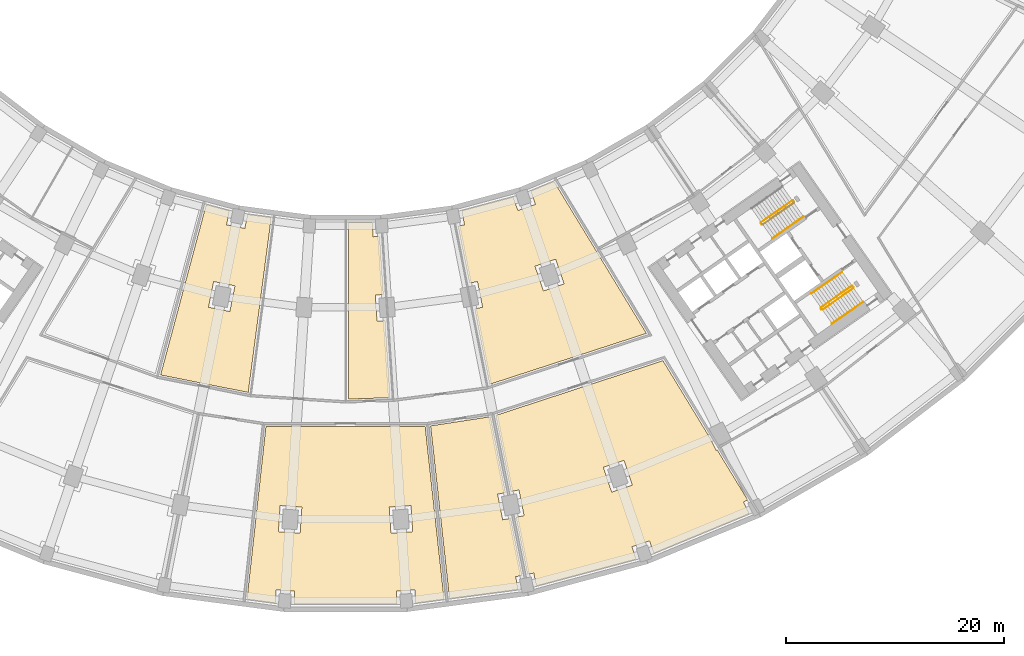
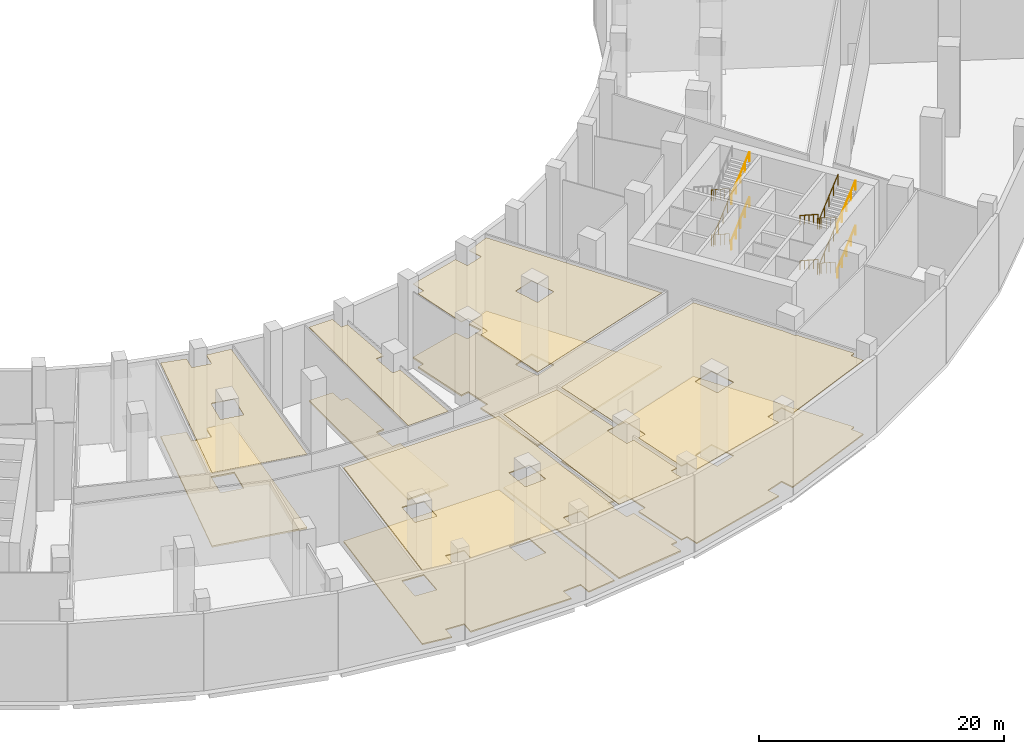
# One storey, part 17 of 19: 13 railings, 12 coverings.
"""IFC4 building model written with IfcOpenShell, lengths in metres."""

from ifc_helpers import new_model, si_unit, direction, frame, origin, origin_2d, place, context, subcontext, project, spatial, polyline, circle, outline, extrude, material, layer, layer_set, type_object, element, save


model = new_model("IFC4")

# Units and contexts
model_context = context("Model", 3, precision=1e-05, world=origin(), true_north=direction((0.0, 1.0)))
body_context = subcontext(model_context, "Body", "Model", "MODEL_VIEW")
ifc_project = project(units=[si_unit("LENGTHUNIT", "METRE"), si_unit("AREAUNIT", "SQUARE_METRE"), si_unit("VOLUMEUNIT", "CUBIC_METRE"), si_unit("PLANEANGLEUNIT", "RADIAN"), si_unit("MASSUNIT", "GRAM", prefix="KILO")], contexts=[model_context])

# Site, building, storey
site_placement = place(None, origin())
site = spatial("IfcSite", under=ifc_project, at=site_placement, CompositionType="ELEMENT")
building_placement = place(site_placement, origin())
building = spatial("IfcBuilding", under=site, at=building_placement, Name="Qamariyya Broadcast Tower", CompositionType="ELEMENT")
storey_placement = place(building_placement, frame((0.0, 0.0, 9.0)))
storey = spatial("IfcBuildingStorey", under=building, at=storey_placement, Name="L01", CompositionType="ELEMENT", Elevation=9.0)

# Coverings
ifc_material_1 = material(Name="Floating timber studio floor", Category="wood")
ifc_layer_1 = layer(ifc_material_1, 0.1201171875)
ifc_layer_set_1 = layer_set([ifc_layer_1], Name="Floating studio floor 120")
covering_type_1 = type_object("IfcCoveringType", Name="Floating studio floor 120", PredefinedType="FLOORING", material=ifc_layer_set_1)
covering_1_placement = place(storey_placement, origin())
element("IfcCovering", 1, at=covering_1_placement, inside=storey, type_object=covering_type_1, Name="Flooring L01-F02", PredefinedType="FLOORING", context=body_context, shape_type="SweptSolid", body=[
    extrude(outline(polyline([(9.04541015625, -84.9111328125), (6.439697265625, -85.254150390625), (6.361572265625, -84.06396484375), (4.665283203125, -84.175048828125), (4.743408203125, -85.365234375), (-4.743408203125, -85.365234375), (-4.665283203125, -84.175048828125), (-6.361572265625, -84.06396484375), (-6.439697265625, -85.254150390625), (-9.04541015625, -84.9111328125), (-7.3076171875, -69.038818359375), (7.3076171875, -69.038818359375), (9.04541015625, -84.9111328125)]), holes=[polyline([(4.165771484375, -78.846435546875), (6.161376953125, -78.715576171875), (6.00439453125, -76.32080078125), (4.0087890625, -76.451416015625), (4.165771484375, -78.846435546875)]), polyline([(-6.00439453125, -76.32080078125), (-6.161376953125, -78.715576171875), (-4.165771484375, -78.846435546875), (-4.0087890625, -76.451416015625), (-6.00439453125, -76.32080078125)])]), origin(), (0.0, 0.0, 1.0), 0.1201171875),
])
covering_2_placement = place(storey_placement, origin())
element("IfcCovering", 2, at=covering_2_placement, inside=storey, type_object=covering_type_1, Name="Flooring L01-F04", PredefinedType="FLOORING", context=body_context, shape_type="SweptSolid", body=[
    extrude(outline(polyline([(33.504638671875, -70.20166015625), (34.021728515625, -71.25048828125), (34.114501953125, -71.20458984375), (36.9052734375, -75.793701171875), (36.522705078125, -75.982421875), (37.050048828125, -77.052001953125), (28.28564453125, -80.682373046875), (27.90234375, -79.552978515625), (26.29248046875, -80.099365234375), (26.67578125, -81.22900390625), (17.512451171875, -83.684326171875), (17.27978515625, -82.514404296875), (16.69140625, -82.63134765625), (15.6474609375, -77.38427734375), (16.383056640625, -77.23779296875), (15.9150390625, -74.884033203125), (15.179443359375, -75.0302734375), (13.78857421875, -68.0390625), (29.134765625, -63.015625), (33.504638671875, -70.20166015625)]), holes=[polyline([(24.4306640625, -75.08154296875), (26.324462890625, -74.438720703125), (25.55322265625, -72.166015625), (23.6591796875, -72.808837890625), (24.4306640625, -75.08154296875)])]), origin(), (0.0, 0.0, 1.0), 0.1201171875),
])
ifc_material_2 = material(Name="Raised access floor")
ifc_layer_2 = layer(ifc_material_2, 0.14990234375)
ifc_layer_set_2 = layer_set([ifc_layer_2], Name="Raised access floor 150")
covering_type_2 = type_object("IfcCoveringType", Name="Raised access floor 150", PredefinedType="FLOORING", material=ifc_layer_set_2)
covering_3_placement = place(storey_placement, origin())
element("IfcCovering", 3, at=covering_3_placement, inside=storey, type_object=covering_type_2, Name="Flooring L01-F03", PredefinedType="FLOORING", context=body_context, shape_type="SweptSolid", body=[
    extrude(outline(polyline([(14.68896484375, -75.1279296875), (13.953369140625, -75.274169921875), (14.421630859375, -77.628173828125), (15.1572265625, -77.481689453125), (16.200927734375, -82.72900390625), (15.612548828125, -82.845947265625), (15.84521484375, -84.015869140625), (9.541259765625, -84.845703125), (7.80615234375, -68.99951171875), (13.3017578125, -68.15380859375), (14.68896484375, -75.1279296875)])), origin(), (0.0, 0.0, 1.0), 0.14990234375),
])
covering_4_placement = place(storey_placement, origin())
element("IfcCovering", 4, at=covering_4_placement, inside=storey, type_object=covering_type_2, Name="Flooring L01-F06", PredefinedType="FLOORING", context=body_context, shape_type="SweptSolid", body=[
    extrude(outline(polyline([(-12.788330078125, -48.69287109375), (-10.665283203125, -49.26171875), (-10.919921875, -50.540771484375), (-9.25244140625, -50.872314453125), (-8.998046875, -49.59326171875), (-6.819091796875, -49.880126953125), (-8.93212890625, -65.93115234375), (-16.978515625, -64.330810546875), (-12.788330078125, -48.69287109375)]), holes=[polyline([(-12.578857421875, -58.112548828125), (-10.617431640625, -58.502685546875), (-10.149169921875, -56.14892578125), (-12.110595703125, -55.7587890625), (-12.578857421875, -58.112548828125)])]), origin(), (0.0, 0.0, 1.0), 0.14990234375),
])
covering_5_placement = place(storey_placement, origin())
element("IfcCovering", 5, at=covering_5_placement, inside=storey, type_object=covering_type_2, Name="Flooring L01-F07", PredefinedType="FLOORING", context=body_context, shape_type="SweptSolid", body=[
    extrude(outline(polyline([(0.25, -50.343505859375), (2.44775390625, -50.343505859375), (2.533203125, -51.64501953125), (3.1318359375, -51.605712890625), (3.481689453125, -56.944091796875), (2.7333984375, -56.9931640625), (2.890380859375, -59.38818359375), (3.638671875, -59.339111328125), (4.1025390625, -66.41552734375), (0.25, -66.541748046875), (0.25, -50.343505859375)])), origin(), (0.0, 0.0, 1.0), 0.14990234375),
])
covering_6_placement = place(storey_placement, origin())
element("IfcCovering", 6, at=covering_6_placement, inside=storey, type_object=covering_type_2, Name="Flooring L01-F08", PredefinedType="FLOORING", context=body_context, shape_type="SweptSolid", body=[
    extrude(outline(polyline([(13.222412109375, -65.191650390625), (11.84326171875, -58.259033203125), (12.578857421875, -58.112548828125), (12.110595703125, -55.7587890625), (11.375, -55.905029296875), (10.331298828125, -50.65771484375), (10.919921875, -50.540771484375), (10.665283203125, -49.26171875), (15.394287109375, -47.99462890625), (15.8134765625, -49.2294921875), (17.42333984375, -48.68310546875), (17.004150390625, -47.447998046875), (19.132080078125, -46.566650390625), (27.61279296875, -60.5126953125), (13.222412109375, -65.191650390625)]), holes=[polyline([(17.39111328125, -54.34375), (18.16259765625, -56.616455078125), (20.056396484375, -55.9736328125), (19.28515625, -53.700927734375), (17.39111328125, -54.34375)])]), origin(), (0.0, 0.0, 1.0), 0.14990234375),
])

# Railings
ifc_material_3 = material(Name="Painted steel", Category="steel")
railing_type_1 = type_object("IfcRailingType", Name="Stair guard", PredefinedType="GUARDRAIL", material=ifc_material_3)
railing_1_placement = place(storey_placement, frame((41.003173828125, -48.320068359375, 0.173095703125)))
element("IfcRailing", 7, at=railing_1_placement, inside=storey, type_object=railing_type_1, Name="L01 ST-E2 stair guard 1", PredefinedType="GUARDRAIL", context=body_context, shape_type="SweptSolid", body=[
    extrude(circle(Radius=0.02392578125, at=origin_2d()), frame((0.0, 0.0, 1.076171875), z_axis=(-0.703392637411, -0.492543525477, 0.512483827206), x_axis=(0.573594173421, -0.819139624372, 0.0)), (0.0, 0.0, 1.0), 4.052734375),
    extrude(circle(Radius=0.02392578125, at=origin_2d()), frame((-2.8505859375, -1.99609375, 3.15283203125), z_axis=(-0.172799478008, -0.984957024646, 0.0), x_axis=(0.984957024646, -0.172799478008, 0.0)), (0.0, 0.0, 1.0), 0.070556640625),
    extrude(circle(Radius=0.02392578125, at=origin_2d()), frame((-2.86279296875, -2.065673828125, 3.15283203125), z_axis=(0.573353020881, -0.819308436089, 0.0), x_axis=(0.819308436089, 0.573353020881, 0.0)), (0.0, 0.0, 1.0), 0.14990234375),
    extrude(circle(Radius=0.02099609375, at=origin_2d()), origin(), (0.0, 0.0, 1.0), 1.052001953125),
    extrude(circle(Radius=0.02099609375, at=origin_2d()), frame((-0.712646484375, -0.4990234375, 0.519287109375)), (0.0, 0.0, 1.0), 1.052001953125),
    extrude(circle(Radius=0.02099609375, at=origin_2d()), frame((-1.42529296875, -0.998046875, 1.03857421875)), (0.0, 0.0, 1.0), 1.052001953125),
    extrude(circle(Radius=0.02099609375, at=origin_2d()), frame((-2.137939453125, -1.4970703125, 1.5576171875)), (0.0, 0.0, 1.0), 1.052001953125),
    extrude(circle(Radius=0.02099609375, at=origin_2d()), frame((-2.8505859375, -1.99609375, 2.076904296875)), (0.0, 0.0, 1.0), 1.052001953125),
    extrude(circle(Radius=0.02099609375, at=origin_2d()), frame((-2.86279296875, -2.065673828125, 2.076904296875)), (0.0, 0.0, 1.0), 1.052001953125),
    extrude(circle(Radius=0.02099609375, at=origin_2d()), frame((-2.77685546875, -2.1884765625, 2.076904296875)), (0.0, 0.0, 1.0), 1.052001953125),
])
railing_2_placement = place(storey_placement, frame((38.2958984375, -50.52099609375, 2.423095703125)))
element("IfcRailing", 8, at=railing_2_placement, inside=storey, type_object=railing_type_1, Name="L01 ST-E2 stair guard 2", PredefinedType="GUARDRAIL", context=body_context, shape_type="SweptSolid", body=[
    extrude(circle(Radius=0.02392578125, at=origin_2d()), frame((0.0, 0.0, 1.076171875), z_axis=(0.703423072377, 0.49252265477, 0.512462111562), x_axis=(-0.573561211868, 0.819162704376, 0.0)), (0.0, 0.0, 1.0), 4.052734375),
    extrude(circle(Radius=0.02392578125, at=origin_2d()), frame((2.850830078125, 1.99609375, 3.15283203125), z_axis=(-0.35747155403, 0.93392402692, 0.0), x_axis=(-0.93392402692, -0.35747155403, 0.0)), (0.0, 0.0, 1.0), 0.206298828125),
    extrude(circle(Radius=0.02392578125, at=origin_2d()), frame((2.777099609375, 2.188720703125, 3.15283203125), z_axis=(0.572588637393, -0.819842821722, 0.0), x_axis=(0.819842821722, 0.572588637393, 0.0)), (0.0, 0.0, 1.0), 0.150146484375),
    extrude(circle(Radius=0.02099609375, at=origin_2d()), origin(), (0.0, 0.0, 1.0), 1.052001953125),
    extrude(circle(Radius=0.02099609375, at=origin_2d()), frame((0.712646484375, 0.4990234375, 0.519287109375)), (0.0, 0.0, 1.0), 1.052001953125),
    extrude(circle(Radius=0.02099609375, at=origin_2d()), frame((1.42529296875, 0.998046875, 1.03857421875)), (0.0, 0.0, 1.0), 1.052001953125),
    extrude(circle(Radius=0.02099609375, at=origin_2d()), frame((2.13818359375, 1.4970703125, 1.5576171875)), (0.0, 0.0, 1.0), 1.052001953125),
    extrude(circle(Radius=0.02099609375, at=origin_2d()), frame((2.850830078125, 1.99609375, 2.076904296875)), (0.0, 0.0, 1.0), 1.052001953125),
    extrude(circle(Radius=0.02099609375, at=origin_2d()), frame((2.777099609375, 2.188720703125, 2.076904296875)), (0.0, 0.0, 1.0), 1.052001953125),
    extrude(circle(Radius=0.02099609375, at=origin_2d()), frame((2.863037109375, 2.065673828125, 2.076904296875)), (0.0, 0.0, 1.0), 1.052001953125),
])
railing_3_placement = place(storey_placement, frame((41.003173828125, -48.320068359375, 4.673095703125)))
element("IfcRailing", 9, at=railing_3_placement, inside=storey, type_object=railing_type_1, Name="L01 ST-E2 stair guard 3", PredefinedType="GUARDRAIL", context=body_context, shape_type="SweptSolid", body=[
    extrude(circle(Radius=0.02392578125, at=origin_2d()), frame((0.0, 0.0, 1.076171875), z_axis=(-0.703392637411, -0.492543525477, 0.512483827206), x_axis=(0.573594173421, -0.819139624372, 0.0)), (0.0, 0.0, 1.0), 4.052734375),
    extrude(circle(Radius=0.02392578125, at=origin_2d()), frame((-2.8505859375, -1.99609375, 3.15283203125), z_axis=(-0.172799478008, -0.984957024646, 0.0), x_axis=(0.984957024646, -0.172799478008, 0.0)), (0.0, 0.0, 1.0), 0.070556640625),
    extrude(circle(Radius=0.02392578125, at=origin_2d()), frame((-2.86279296875, -2.065673828125, 3.15283203125), z_axis=(0.573353020881, -0.819308436089, 0.0), x_axis=(0.819308436089, 0.573353020881, 0.0)), (0.0, 0.0, 1.0), 0.14990234375),
    extrude(circle(Radius=0.02099609375, at=origin_2d()), origin(), (0.0, 0.0, 1.0), 1.052001953125),
    extrude(circle(Radius=0.02099609375, at=origin_2d()), frame((-0.712646484375, -0.4990234375, 0.519287109375)), (0.0, 0.0, 1.0), 1.052001953125),
    extrude(circle(Radius=0.02099609375, at=origin_2d()), frame((-1.42529296875, -0.998046875, 1.03857421875)), (0.0, 0.0, 1.0), 1.052001953125),
    extrude(circle(Radius=0.02099609375, at=origin_2d()), frame((-2.137939453125, -1.4970703125, 1.5576171875)), (0.0, 0.0, 1.0), 1.052001953125),
    extrude(circle(Radius=0.02099609375, at=origin_2d()), frame((-2.8505859375, -1.99609375, 2.076904296875)), (0.0, 0.0, 1.0), 1.052001953125),
    extrude(circle(Radius=0.02099609375, at=origin_2d()), frame((-2.86279296875, -2.065673828125, 2.076904296875)), (0.0, 0.0, 1.0), 1.052001953125),
    extrude(circle(Radius=0.02099609375, at=origin_2d()), frame((-2.77685546875, -2.1884765625, 2.076904296875)), (0.0, 0.0, 1.0), 1.052001953125),
])
railing_4_placement = place(storey_placement, frame((46.48095703125, -56.14306640625, 0.173095703125)))
element("IfcRailing", 10, at=railing_4_placement, inside=storey, type_object=railing_type_1, Name="L01 ST-E1 stair guard 1", PredefinedType="GUARDRAIL", context=body_context, shape_type="SweptSolid", body=[
    extrude(circle(Radius=0.02392578125, at=origin_2d()), frame((0.0, 0.0, 1.076171875), z_axis=(-0.703413508203, -0.492497895646, 0.512499033426), x_axis=(0.57354709673, -0.81917258733, 0.0)), (0.0, 0.0, 1.0), 4.052490234375),
    extrude(circle(Radius=0.02392578125, at=origin_2d()), frame((-2.8505859375, -1.995849609375, 3.15283203125), z_axis=(-0.175552359694, -0.984470095537, 0.0), x_axis=(0.984470095537, -0.175552359694, 0.0)), (0.0, 0.0, 1.0), 0.071044921875),
    extrude(circle(Radius=0.02392578125, at=origin_2d()), frame((-2.863037109375, -2.065673828125, 3.15283203125), z_axis=(0.574444878118, -0.818543268254, 0.0), x_axis=(0.818543268254, 0.574444878118, 0.0)), (0.0, 0.0, 1.0), 0.150146484375),
    extrude(circle(Radius=0.02099609375, at=origin_2d()), origin(), (0.0, 0.0, 1.0), 1.052001953125),
    extrude(circle(Radius=0.02099609375, at=origin_2d()), frame((-0.712646484375, -0.4990234375, 0.519287109375)), (0.0, 0.0, 1.0), 1.052001953125),
    extrude(circle(Radius=0.02099609375, at=origin_2d()), frame((-1.42529296875, -0.998046875, 1.03857421875)), (0.0, 0.0, 1.0), 1.052001953125),
    extrude(circle(Radius=0.02099609375, at=origin_2d()), frame((-2.137939453125, -1.496826171875, 1.5576171875)), (0.0, 0.0, 1.0), 1.052001953125),
    extrude(circle(Radius=0.02099609375, at=origin_2d()), frame((-2.8505859375, -1.995849609375, 2.076904296875)), (0.0, 0.0, 1.0), 1.052001953125),
    extrude(circle(Radius=0.02099609375, at=origin_2d()), frame((-2.863037109375, -2.065673828125, 2.076904296875)), (0.0, 0.0, 1.0), 1.052001953125),
    extrude(circle(Radius=0.02099609375, at=origin_2d()), frame((-2.77685546875, -2.1884765625, 2.076904296875)), (0.0, 0.0, 1.0), 1.052001953125),
])
railing_5_placement = place(storey_placement, frame((43.773681640625, -58.34375, 2.423095703125)))
element("IfcRailing", 11, at=railing_5_placement, inside=storey, type_object=railing_type_1, Name="L01 ST-E1 stair guard 2", PredefinedType="GUARDRAIL", context=body_context, shape_type="SweptSolid", body=[
    extrude(circle(Radius=0.02392578125, at=origin_2d()), frame((0.0, 0.0, 1.076171875), z_axis=(0.703392637411, 0.492543525477, 0.512483827206), x_axis=(-0.573594173421, 0.819139624372, 0.0)), (0.0, 0.0, 1.0), 4.052734375),
    extrude(circle(Radius=0.02392578125, at=origin_2d()), frame((2.8505859375, 1.99609375, 3.15283203125), z_axis=(-0.357867132547, 0.933772518038, 0.0), x_axis=(-0.933772518038, -0.357867132547, 0.0)), (0.0, 0.0, 1.0), 0.2060546875),
    extrude(circle(Radius=0.02392578125, at=origin_2d()), frame((2.77685546875, 2.1884765625, 3.15283203125), z_axis=(0.574444878118, -0.818543268254, 0.0), x_axis=(0.818543268254, 0.574444878118, 0.0)), (0.0, 0.0, 1.0), 0.150146484375),
    extrude(circle(Radius=0.02099609375, at=origin_2d()), origin(), (0.0, 0.0, 1.0), 1.052001953125),
    extrude(circle(Radius=0.02099609375, at=origin_2d()), frame((0.712646484375, 0.4990234375, 0.519287109375)), (0.0, 0.0, 1.0), 1.052001953125),
    extrude(circle(Radius=0.02099609375, at=origin_2d()), frame((1.42529296875, 0.998046875, 1.03857421875)), (0.0, 0.0, 1.0), 1.052001953125),
    extrude(circle(Radius=0.02099609375, at=origin_2d()), frame((2.137939453125, 1.4970703125, 1.5576171875)), (0.0, 0.0, 1.0), 1.052001953125),
    extrude(circle(Radius=0.02099609375, at=origin_2d()), frame((2.8505859375, 1.99609375, 2.076904296875)), (0.0, 0.0, 1.0), 1.052001953125),
    extrude(circle(Radius=0.02099609375, at=origin_2d()), frame((2.77685546875, 2.1884765625, 2.076904296875)), (0.0, 0.0, 1.0), 1.052001953125),
    extrude(circle(Radius=0.02099609375, at=origin_2d()), frame((2.863037109375, 2.065673828125, 2.076904296875)), (0.0, 0.0, 1.0), 1.052001953125),
])
railing_6_placement = place(storey_placement, frame((46.48095703125, -56.14306640625, 4.673095703125)))
element("IfcRailing", 12, at=railing_6_placement, inside=storey, type_object=railing_type_1, Name="L01 ST-E1 stair guard 3", PredefinedType="GUARDRAIL", context=body_context, shape_type="SweptSolid", body=[
    extrude(circle(Radius=0.02392578125, at=origin_2d()), frame((0.0, 0.0, 1.076171875), z_axis=(-0.703413508203, -0.492497895646, 0.512499033426), x_axis=(0.57354709673, -0.81917258733, 0.0)), (0.0, 0.0, 1.0), 4.052490234375),
    extrude(circle(Radius=0.02392578125, at=origin_2d()), frame((-2.8505859375, -1.995849609375, 3.15283203125), z_axis=(-0.175552359694, -0.984470095537, 0.0), x_axis=(0.984470095537, -0.175552359694, 0.0)), (0.0, 0.0, 1.0), 0.071044921875),
    extrude(circle(Radius=0.02392578125, at=origin_2d()), frame((-2.863037109375, -2.065673828125, 3.15283203125), z_axis=(0.574444878118, -0.818543268254, 0.0), x_axis=(0.818543268254, 0.574444878118, 0.0)), (0.0, 0.0, 1.0), 0.150146484375),
    extrude(circle(Radius=0.02099609375, at=origin_2d()), origin(), (0.0, 0.0, 1.0), 1.052001953125),
    extrude(circle(Radius=0.02099609375, at=origin_2d()), frame((-0.712646484375, -0.4990234375, 0.519287109375)), (0.0, 0.0, 1.0), 1.052001953125),
    extrude(circle(Radius=0.02099609375, at=origin_2d()), frame((-1.42529296875, -0.998046875, 1.03857421875)), (0.0, 0.0, 1.0), 1.052001953125),
    extrude(circle(Radius=0.02099609375, at=origin_2d()), frame((-2.137939453125, -1.496826171875, 1.5576171875)), (0.0, 0.0, 1.0), 1.052001953125),
    extrude(circle(Radius=0.02099609375, at=origin_2d()), frame((-2.8505859375, -1.995849609375, 2.076904296875)), (0.0, 0.0, 1.0), 1.052001953125),
    extrude(circle(Radius=0.02099609375, at=origin_2d()), frame((-2.863037109375, -2.065673828125, 2.076904296875)), (0.0, 0.0, 1.0), 1.052001953125),
    extrude(circle(Radius=0.02099609375, at=origin_2d()), frame((-2.77685546875, -2.1884765625, 2.076904296875)), (0.0, 0.0, 1.0), 1.052001953125),
])
railing_7_placement = place(storey_placement, frame((43.773681640625, -58.34375, 6.923095703125)))
element("IfcRailing", 13, at=railing_7_placement, inside=storey, type_object=railing_type_1, Name="L01 ST-E1 stair guard 4", PredefinedType="GUARDRAIL", context=body_context, shape_type="SweptSolid", body=[
    extrude(circle(Radius=0.02392578125, at=origin_2d()), frame((0.0, 0.0, 1.076171875), z_axis=(0.703392637411, 0.492543525477, 0.512483827206), x_axis=(-0.573594173421, 0.819139624372, 0.0)), (0.0, 0.0, 1.0), 4.052734375),
    extrude(circle(Radius=0.02099609375, at=origin_2d()), origin(), (0.0, 0.0, 1.0), 1.052001953125),
    extrude(circle(Radius=0.02099609375, at=origin_2d()), frame((0.712646484375, 0.4990234375, 0.519287109375)), (0.0, 0.0, 1.0), 1.052001953125),
    extrude(circle(Radius=0.02099609375, at=origin_2d()), frame((1.42529296875, 0.998046875, 1.03857421875)), (0.0, 0.0, 1.0), 1.052001953125),
    extrude(circle(Radius=0.02099609375, at=origin_2d()), frame((2.137939453125, 1.4970703125, 1.5576171875)), (0.0, 0.0, 1.0), 1.052001953125),
    extrude(circle(Radius=0.02099609375, at=origin_2d()), frame((2.8505859375, 1.99609375, 2.076904296875)), (0.0, 0.0, 1.0), 1.052001953125),
])
ifc_material_4 = material(Name="Stainless steel", Category="steel")
railing_type_2 = type_object("IfcRailingType", Name="Stair handrail", PredefinedType="HANDRAIL", material=ifc_material_4)
for number, where, name in (
    (14, (39.18505859375, -51.79052734375, 2.423095703125), "L01 ST-E2 stair handrail 2"),
    (15, (39.18505859375, -51.79052734375, 6.923095703125), "L01 ST-E2 stair handrail 4"),
):
    element("IfcRailing", number, at=place(storey_placement, frame(where)), inside=storey, type_object=railing_type_2, Name=name, PredefinedType="HANDRAIL", context=body_context, shape_type="SweptSolid", body=[
        extrude(circle(Radius=0.02392578125, at=origin_2d()), frame((0.0, 0.0, 0.8759765625), z_axis=(0.703392637411, 0.492543525477, 0.512483827206), x_axis=(-0.573594173421, 0.819139624372, 0.0)), (0.0, 0.0, 1.0), 4.052734375),
        extrude(circle(Radius=0.02099609375, at=origin_2d()), origin(), (0.0, 0.0, 1.0), 0.851806640625),
        extrude(circle(Radius=0.02099609375, at=origin_2d()), frame((0.712646484375, 0.4990234375, 0.519287109375)), (0.0, 0.0, 1.0), 0.851806640625),
        extrude(circle(Radius=0.02099609375, at=origin_2d()), frame((1.42529296875, 0.998046875, 1.03857421875)), (0.0, 0.0, 1.0), 0.851806640625),
        extrude(circle(Radius=0.02099609375, at=origin_2d()), frame((2.137939453125, 1.4970703125, 1.5576171875)), (0.0, 0.0, 1.0), 0.851806640625),
        extrude(circle(Radius=0.02099609375, at=origin_2d()), frame((2.8505859375, 1.99609375, 2.076904296875)), (0.0, 0.0, 1.0), 0.851806640625),
    ])
railing_8_placement = place(storey_placement, frame((45.591796875, -54.873291015625, 0.173095703125)))
element("IfcRailing", 16, at=railing_8_placement, inside=storey, type_object=railing_type_2, Name="L01 ST-E1 stair handrail 1", PredefinedType="HANDRAIL", context=body_context, shape_type="SweptSolid", body=[
    extrude(circle(Radius=0.02392578125, at=origin_2d()), frame((0.0, 0.0, 0.8759765625), z_axis=(-0.703392637411, -0.492543525477, 0.512483827206), x_axis=(0.573594173421, -0.819139624372, 0.0)), (0.0, 0.0, 1.0), 4.052734375),
    extrude(circle(Radius=0.02099609375, at=origin_2d()), origin(), (0.0, 0.0, 1.0), 0.851806640625),
    extrude(circle(Radius=0.02099609375, at=origin_2d()), frame((-0.712646484375, -0.4990234375, 0.519287109375)), (0.0, 0.0, 1.0), 0.851806640625),
    extrude(circle(Radius=0.02099609375, at=origin_2d()), frame((-1.42529296875, -0.998046875, 1.03857421875)), (0.0, 0.0, 1.0), 0.851806640625),
    extrude(circle(Radius=0.02099609375, at=origin_2d()), frame((-2.137939453125, -1.4970703125, 1.5576171875)), (0.0, 0.0, 1.0), 0.851806640625),
    extrude(circle(Radius=0.02099609375, at=origin_2d()), frame((-2.8505859375, -1.99609375, 2.076904296875)), (0.0, 0.0, 1.0), 0.851806640625),
])
railing_9_placement = place(storey_placement, frame((44.66259765625, -59.613525390625, 2.423095703125)))
element("IfcRailing", 17, at=railing_9_placement, inside=storey, type_object=railing_type_2, Name="L01 ST-E1 stair handrail 2", PredefinedType="HANDRAIL", context=body_context, shape_type="SweptSolid", body=[
    extrude(circle(Radius=0.02392578125, at=origin_2d()), frame((0.0, 0.0, 0.8759765625), z_axis=(0.703423072377, 0.49252265477, 0.512462111562), x_axis=(-0.573561211868, 0.819162704376, 0.0)), (0.0, 0.0, 1.0), 4.052734375),
    extrude(circle(Radius=0.02099609375, at=origin_2d()), origin(), (0.0, 0.0, 1.0), 0.851806640625),
    extrude(circle(Radius=0.02099609375, at=origin_2d()), frame((0.712646484375, 0.4990234375, 0.519287109375)), (0.0, 0.0, 1.0), 0.851806640625),
    extrude(circle(Radius=0.02099609375, at=origin_2d()), frame((1.42529296875, 0.998046875, 1.03857421875)), (0.0, 0.0, 1.0), 0.851806640625),
    extrude(circle(Radius=0.02099609375, at=origin_2d()), frame((2.13818359375, 1.4970703125, 1.5576171875)), (0.0, 0.0, 1.0), 0.851806640625),
    extrude(circle(Radius=0.02099609375, at=origin_2d()), frame((2.850830078125, 1.99609375, 2.076904296875)), (0.0, 0.0, 1.0), 0.851806640625),
])
railing_10_placement = place(storey_placement, frame((45.591796875, -54.873291015625, 4.673095703125)))
element("IfcRailing", 18, at=railing_10_placement, inside=storey, type_object=railing_type_2, Name="L01 ST-E1 stair handrail 3", PredefinedType="HANDRAIL", context=body_context, shape_type="SweptSolid", body=[
    extrude(circle(Radius=0.02392578125, at=origin_2d()), frame((0.0, 0.0, 0.8759765625), z_axis=(-0.703392637411, -0.492543525477, 0.512483827206), x_axis=(0.573594173421, -0.819139624372, 0.0)), (0.0, 0.0, 1.0), 4.052734375),
    extrude(circle(Radius=0.02099609375, at=origin_2d()), origin(), (0.0, 0.0, 1.0), 0.851806640625),
    extrude(circle(Radius=0.02099609375, at=origin_2d()), frame((-0.712646484375, -0.4990234375, 0.519287109375)), (0.0, 0.0, 1.0), 0.851806640625),
    extrude(circle(Radius=0.02099609375, at=origin_2d()), frame((-1.42529296875, -0.998046875, 1.03857421875)), (0.0, 0.0, 1.0), 0.851806640625),
    extrude(circle(Radius=0.02099609375, at=origin_2d()), frame((-2.137939453125, -1.4970703125, 1.5576171875)), (0.0, 0.0, 1.0), 0.851806640625),
    extrude(circle(Radius=0.02099609375, at=origin_2d()), frame((-2.8505859375, -1.99609375, 2.076904296875)), (0.0, 0.0, 1.0), 0.851806640625),
])
railing_11_placement = place(storey_placement, frame((44.66259765625, -59.613525390625, 6.923095703125)))
element("IfcRailing", 19, at=railing_11_placement, inside=storey, type_object=railing_type_2, Name="L01 ST-E1 stair handrail 4", PredefinedType="HANDRAIL", context=body_context, shape_type="SweptSolid", body=[
    extrude(circle(Radius=0.02392578125, at=origin_2d()), frame((0.0, 0.0, 0.8759765625), z_axis=(0.703423072377, 0.49252265477, 0.512462111562), x_axis=(-0.573561211868, 0.819162704376, 0.0)), (0.0, 0.0, 1.0), 4.052734375),
    extrude(circle(Radius=0.02099609375, at=origin_2d()), origin(), (0.0, 0.0, 1.0), 0.851806640625),
    extrude(circle(Radius=0.02099609375, at=origin_2d()), frame((0.712646484375, 0.4990234375, 0.519287109375)), (0.0, 0.0, 1.0), 0.851806640625),
    extrude(circle(Radius=0.02099609375, at=origin_2d()), frame((1.42529296875, 0.998046875, 1.03857421875)), (0.0, 0.0, 1.0), 0.851806640625),
    extrude(circle(Radius=0.02099609375, at=origin_2d()), frame((2.13818359375, 1.4970703125, 1.5576171875)), (0.0, 0.0, 1.0), 0.851806640625),
    extrude(circle(Radius=0.02099609375, at=origin_2d()), frame((2.850830078125, 1.99609375, 2.076904296875)), (0.0, 0.0, 1.0), 0.851806640625),
])

# Coverings
ifc_material_5 = material(Name="Acoustic mineral fibre ceiling")
ifc_layer_3 = layer(ifc_material_5, 0.10009765625)
ifc_layer_set_3 = layer_set([ifc_layer_3], Name="Studio acoustic ceiling 100")
covering_type_3 = type_object("IfcCoveringType", Name="Studio acoustic ceiling 100", PredefinedType="CEILING", material=ifc_layer_set_3)
covering_7_placement = place(storey_placement, frame((0.0, 0.0, 7.35009765625)))
element("IfcCovering", 20, at=covering_7_placement, inside=storey, type_object=covering_type_3, Name="Ceiling L01-C02", PredefinedType="CEILING", context=body_context, shape_type="SweptSolid", body=[
    extrude(outline(polyline([(9.04541015625, -84.9111328125), (6.439697265625, -85.254150390625), (6.361572265625, -84.06396484375), (4.665283203125, -84.175048828125), (4.743408203125, -85.365234375), (-4.743408203125, -85.365234375), (-4.665283203125, -84.175048828125), (-6.361572265625, -84.06396484375), (-6.439697265625, -85.254150390625), (-9.04541015625, -84.9111328125), (-7.3076171875, -69.038818359375), (7.3076171875, -69.038818359375), (9.04541015625, -84.9111328125)]), holes=[polyline([(4.165771484375, -78.846435546875), (6.161376953125, -78.715576171875), (6.00439453125, -76.32080078125), (4.0087890625, -76.451416015625), (4.165771484375, -78.846435546875)]), polyline([(-6.00439453125, -76.32080078125), (-6.161376953125, -78.715576171875), (-4.165771484375, -78.846435546875), (-4.0087890625, -76.451416015625), (-6.00439453125, -76.32080078125)])]), origin(), (0.0, 0.0, 1.0), 0.099853515625),
])
covering_8_placement = place(storey_placement, frame((0.0, 0.0, 7.35009765625)))
element("IfcCovering", 21, at=covering_8_placement, inside=storey, type_object=covering_type_3, Name="Ceiling L01-C04", PredefinedType="CEILING", context=body_context, shape_type="SweptSolid", body=[
    extrude(outline(polyline([(33.504638671875, -70.20166015625), (34.021728515625, -71.25048828125), (34.114501953125, -71.20458984375), (36.9052734375, -75.793701171875), (36.522705078125, -75.982421875), (37.050048828125, -77.052001953125), (28.28564453125, -80.682373046875), (27.90234375, -79.552978515625), (26.29248046875, -80.099365234375), (26.67578125, -81.22900390625), (17.512451171875, -83.684326171875), (17.27978515625, -82.514404296875), (16.69140625, -82.63134765625), (15.6474609375, -77.38427734375), (16.383056640625, -77.23779296875), (15.9150390625, -74.884033203125), (15.179443359375, -75.0302734375), (13.78857421875, -68.0390625), (29.134765625, -63.015625), (33.504638671875, -70.20166015625)]), holes=[polyline([(24.4306640625, -75.08154296875), (26.324462890625, -74.438720703125), (25.55322265625, -72.166015625), (23.6591796875, -72.808837890625), (24.4306640625, -75.08154296875)])]), origin(), (0.0, 0.0, 1.0), 0.099853515625),
])
ifc_material_6 = material(Name="Perforated plasterboard ceiling")
ifc_layer_4 = layer(ifc_material_6, 0.06005859375)
ifc_layer_set_4 = layer_set([ifc_layer_4], Name="Suspended acoustic ceiling 60")
covering_type_4 = type_object("IfcCoveringType", Name="Suspended acoustic ceiling 60", PredefinedType="CEILING", material=ifc_layer_set_4)
covering_9_placement = place(storey_placement, frame((0.0, 0.0, 7.389892578125)))
element("IfcCovering", 22, at=covering_9_placement, inside=storey, type_object=covering_type_4, Name="Ceiling L01-C03", PredefinedType="CEILING", context=body_context, shape_type="SweptSolid", body=[
    extrude(outline(polyline([(14.68896484375, -75.1279296875), (13.953369140625, -75.274169921875), (14.421630859375, -77.628173828125), (15.1572265625, -77.481689453125), (16.200927734375, -82.72900390625), (15.612548828125, -82.845947265625), (15.84521484375, -84.015869140625), (9.541259765625, -84.845703125), (7.80615234375, -68.99951171875), (13.3017578125, -68.15380859375), (14.68896484375, -75.1279296875)])), origin(), (0.0, 0.0, 1.0), 0.06005859375),
])
covering_10_placement = place(storey_placement, frame((0.0, 0.0, 7.389892578125)))
element("IfcCovering", 23, at=covering_10_placement, inside=storey, type_object=covering_type_4, Name="Ceiling L01-C06", PredefinedType="CEILING", context=body_context, shape_type="SweptSolid", body=[
    extrude(outline(polyline([(-12.788330078125, -48.69287109375), (-10.665283203125, -49.26171875), (-10.919921875, -50.540771484375), (-9.25244140625, -50.872314453125), (-8.998046875, -49.59326171875), (-6.819091796875, -49.880126953125), (-8.93212890625, -65.93115234375), (-16.978515625, -64.330810546875), (-12.788330078125, -48.69287109375)]), holes=[polyline([(-12.578857421875, -58.112548828125), (-10.617431640625, -58.502685546875), (-10.149169921875, -56.14892578125), (-12.110595703125, -55.7587890625), (-12.578857421875, -58.112548828125)])]), origin(), (0.0, 0.0, 1.0), 0.06005859375),
])
covering_11_placement = place(storey_placement, frame((0.0, 0.0, 7.389892578125)))
element("IfcCovering", 24, at=covering_11_placement, inside=storey, type_object=covering_type_4, Name="Ceiling L01-C07", PredefinedType="CEILING", context=body_context, shape_type="SweptSolid", body=[
    extrude(outline(polyline([(0.25, -50.343505859375), (2.44775390625, -50.343505859375), (2.533203125, -51.64501953125), (3.1318359375, -51.605712890625), (3.481689453125, -56.944091796875), (2.7333984375, -56.9931640625), (2.890380859375, -59.38818359375), (3.638671875, -59.339111328125), (4.1025390625, -66.41552734375), (0.25, -66.541748046875), (0.25, -50.343505859375)])), origin(), (0.0, 0.0, 1.0), 0.06005859375),
])
covering_12_placement = place(storey_placement, frame((0.0, 0.0, 7.389892578125)))
element("IfcCovering", 25, at=covering_12_placement, inside=storey, type_object=covering_type_4, Name="Ceiling L01-C08", PredefinedType="CEILING", context=body_context, shape_type="SweptSolid", body=[
    extrude(outline(polyline([(13.222412109375, -65.191650390625), (11.84326171875, -58.259033203125), (12.578857421875, -58.112548828125), (12.110595703125, -55.7587890625), (11.375, -55.905029296875), (10.331298828125, -50.65771484375), (10.919921875, -50.540771484375), (10.665283203125, -49.26171875), (15.394287109375, -47.99462890625), (15.8134765625, -49.2294921875), (17.42333984375, -48.68310546875), (17.004150390625, -47.447998046875), (19.132080078125, -46.566650390625), (27.61279296875, -60.5126953125), (13.222412109375, -65.191650390625)]), holes=[polyline([(17.39111328125, -54.34375), (18.16259765625, -56.616455078125), (20.056396484375, -55.9736328125), (19.28515625, -53.700927734375), (17.39111328125, -54.34375)])]), origin(), (0.0, 0.0, 1.0), 0.06005859375),
])

save(model, "model.ifc")
